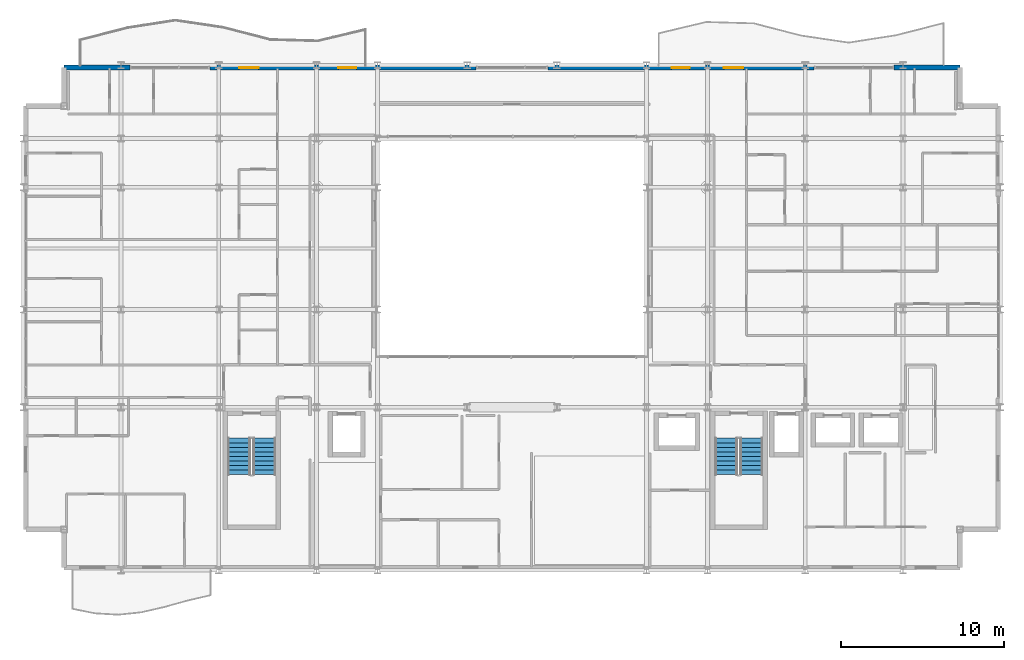
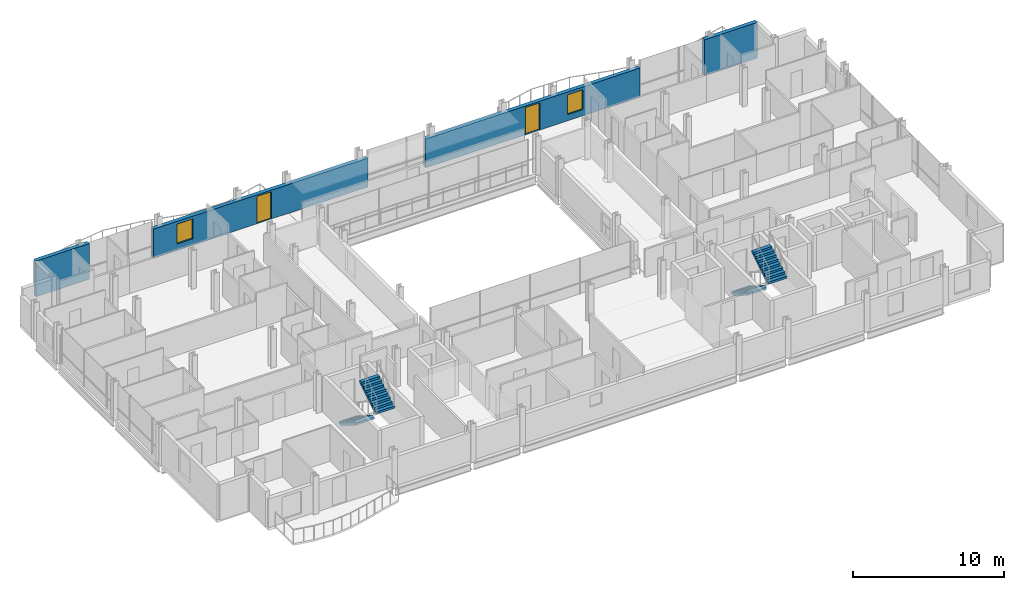
# One storey, part 38 of 41: 4 stair flights, 4 walls, 2 doors, 2 windows, 4 openings, 2 elements without a shape of their own.
"""IFC4 building model written with IfcOpenShell, lengths in metres."""

from ifc_helpers import new_model, si_unit, direction, frame, frame_2d, origin, place, context, subcontext, project, spatial, polyline, rectangle, outline, extrude, material, layer, layer_set, type_object, element, fill, aggregate, save


model = new_model("IFC4")

# Units and contexts
model_context = context("Model", 3, precision=1e-05, world=origin(), true_north=direction((0.0, 1.0)))
body_context = subcontext(model_context, "Body", "Model", "MODEL_VIEW")
ifc_project = project(units=[si_unit("LENGTHUNIT", "METRE"), si_unit("AREAUNIT", "SQUARE_METRE"), si_unit("VOLUMEUNIT", "CUBIC_METRE"), si_unit("PLANEANGLEUNIT", "RADIAN"), si_unit("MASSUNIT", "GRAM", prefix="KILO")], contexts=[model_context])

# Site, building, storey
site_placement = place(None, origin())
site = spatial("IfcSite", under=ifc_project, at=site_placement, CompositionType="ELEMENT")
building_placement = place(site_placement, origin())
building = spatial("IfcBuilding", under=site, at=building_placement, Name="Brevholm Reach", CompositionType="ELEMENT")
storey_placement = place(building_placement, frame((0.0, 0.0, 144.89990234375)))
storey = spatial("IfcBuildingStorey", under=building, at=storey_placement, Name="L43", CompositionType="ELEMENT", Elevation=144.89990234375)

# Walls
ifc_material_1 = material(Name="Concrete C40/50", Category="concrete")
ifc_layer_1 = layer(ifc_material_1, 0.300048828125)
ifc_layer_set_1 = layer_set([ifc_layer_1], Name="Concrete C40/50")
wall_type = type_object("IfcWallType", Name="WAL-EXT-300", PredefinedType="STANDARD", material=ifc_layer_set_1)
for number, where, z_axis, x_axis, name in (
    (1, (2.5, 30.85009765625, 0.0), (0.0, 0.0, 1.0), (1.0, 0.0, 0.0), "L43 Facade Wall WAL-L43-NP-W0"),
    (2, (53.449951171875, 30.85009765625, 0.0), (0.0, 0.0, 1.0), (1.0, 0.0, 0.0), "L43 Facade Wall WAL-L43-NP-E0"),
):
    element("IfcWall", number, at=place(storey_placement, frame(where, z_axis=z_axis, x_axis=x_axis)), inside=storey, type_object=wall_type, Name=name, PredefinedType="STANDARD", context=body_context, shape_type="SweptSolid", body=[
        extrude(rectangle(XDim=4.050048828125, YDim=0.300048828125, at=frame_2d((2.02490234375, 0.0))), origin(), (0.0, 0.0, 1.0), 2.880126953125),
    ])

# Wall, openings, door, window
wall_1_placement = place(storey_placement, frame((11.449951171875, 30.85009765625, 0.0), z_axis=(0.0, 0.0, 1.0), x_axis=(1.0, 0.0, 0.0)))
wall_1 = element("IfcWall", 3, at=wall_1_placement, inside=storey, type_object=wall_type, Name="L43 Facade Wall WAL-L43-NP-WL", PredefinedType="STANDARD", context=body_context, shape_type="SweptSolid", body=[
    extrude(rectangle(XDim=16.35009765625, YDim=0.300048828125, at=frame_2d((8.175048828125, 0.0))), origin(), (0.0, 0.0, 1.0), 2.322021484375),
])
opening_1_placement = place(wall_1_placement, frame((7.89794921875, 0.0, 0.0)))
opening_1 = element("IfcOpeningElement", 4, at=opening_1_placement, cuts=wall_1, Name="Opening BD-01", PredefinedType="OPENING", context=body_context, shape_type="SweptSolid", body=[
    extrude(rectangle(XDim=1.10009765625, YDim=2.199951171875, at=frame_2d((0.550048828125, 1.10009765625))), frame((0.0, 0.159912109375, 0.0), z_axis=(0.0, -1.0, 0.0), x_axis=(1.0, 0.0, 0.0)), (0.0, 0.0, 1.0), 0.320068359375),
])
opening_2_placement = place(wall_1_placement, frame((1.800048828125, 0.0, 0.501953125)))
opening_2 = element("IfcOpeningElement", 5, at=opening_2_placement, cuts=wall_1, Name="Opening WN-08", PredefinedType="OPENING", context=body_context, shape_type="SweptSolid", body=[
    extrude(rectangle(XDim=1.199951171875, YDim=1.60009765625, at=frame_2d((0.60009765625, 0.800048828125))), frame((0.0, 0.159912109375, 0.0), z_axis=(0.0, -1.0, 0.0), x_axis=(1.0, 0.0, 0.0)), (0.0, 0.0, 1.0), 0.320068359375),
])
ifc_material_2 = material(Name="Dark Anodised Aluminium and Triple-Glazed Glass", Category="aluminium")
door_type = type_object("IfcDoorType", Name="DOR-BALC-1100", OperationType="NOTDEFINED", PredefinedType="DOOR", material=ifc_material_2)
door_1_placement = place(opening_1_placement, origin())
door_1 = element("IfcDoor", 6, at=door_1_placement, inside=storey, type_object=door_type, Name="L43 Exterior Door DOR-L43-BL-NW", OperationType="SINGLE_SWING_LEFT", OverallHeight=2.199951171875, OverallWidth=1.10009765625, PredefinedType="DOOR", context=body_context, shape_type="SweptSolid", body=[
    extrude(rectangle(XDim=1.10009765625, YDim=2.199951171875, at=frame_2d((0.550048828125, 1.10009765625))), frame((0.0, 0.02490234375, 0.0), z_axis=(0.0, -1.0, 0.0), x_axis=(1.0, 0.0, 0.0)), (0.0, 0.0, 1.0), 0.050048828125),
])
fill(opening_1, door_1)
ifc_material_3 = material(Name="Dark Anodised Aluminium and Solar-Control IGU Glass", Category="aluminium")
window_type = type_object("IfcWindowType", Name="WIN-RES-1200", PartitioningType="SINGLE_PANEL", PredefinedType="WINDOW", material=ifc_material_3)
window_1_placement = place(opening_2_placement, origin())
window_1 = element("IfcWindow", 7, at=window_1_placement, inside=storey, type_object=window_type, Name="L43 Window WIN-L43-NP-WL1", OverallHeight=1.60009765625, OverallWidth=1.199951171875, PartitioningType="SINGLE_PANEL", PredefinedType="WINDOW", context=body_context, shape_type="SweptSolid", body=[
    extrude(rectangle(XDim=1.199951171875, YDim=1.60009765625, at=frame_2d((0.60009765625, 0.800048828125))), frame((0.0, 0.030029296875, 0.0), z_axis=(0.0, -1.0, 0.0), x_axis=(1.0, 0.0, 0.0)), (0.0, 0.0, 1.0), 0.06005859375),
])
fill(opening_2, window_1)

wall_2_placement = place(storey_placement, frame((32.199951171875, 30.85009765625, 0.0), z_axis=(0.0, 0.0, 1.0), x_axis=(1.0, 0.0, 0.0)))
wall_2 = element("IfcWall", 8, at=wall_2_placement, inside=storey, type_object=wall_type, Name="L43 Facade Wall WAL-L43-NP-ER", PredefinedType="STANDARD", context=body_context, shape_type="SweptSolid", body=[
    extrude(rectangle(XDim=16.35009765625, YDim=0.300048828125, at=frame_2d((8.175048828125, 0.0))), origin(), (0.0, 0.0, 1.0), 2.322021484375),
])
opening_3_placement = place(wall_2_placement, frame((7.60009765625, 0.0, 0.0)))
opening_3 = element("IfcOpeningElement", 9, at=opening_3_placement, cuts=wall_2, Name="Opening BD-01", PredefinedType="OPENING", context=body_context, shape_type="SweptSolid", body=[
    extrude(rectangle(XDim=1.10009765625, YDim=2.199951171875, at=frame_2d((0.550048828125, 1.10009765625))), frame((0.0, 0.159912109375, 0.0), z_axis=(0.0, -1.0, 0.0), x_axis=(1.0, 0.0, 0.0)), (0.0, 0.0, 1.0), 0.320068359375),
])
opening_4_placement = place(wall_2_placement, frame((10.800048828125, 0.0, 0.501953125)))
opening_4 = element("IfcOpeningElement", 10, at=opening_4_placement, cuts=wall_2, Name="Opening WN-08", PredefinedType="OPENING", context=body_context, shape_type="SweptSolid", body=[
    extrude(rectangle(XDim=1.199951171875, YDim=1.60009765625, at=frame_2d((0.60009765625, 0.800048828125))), frame((0.0, 0.159912109375, 0.0), z_axis=(0.0, -1.0, 0.0), x_axis=(1.0, 0.0, 0.0)), (0.0, 0.0, 1.0), 0.320068359375),
])
door_2_placement = place(opening_3_placement, origin())
door_2 = element("IfcDoor", 11, at=door_2_placement, inside=storey, type_object=door_type, Name="L43 Exterior Door DOR-L43-BL-NE", OperationType="SINGLE_SWING_RIGHT", OverallHeight=2.199951171875, OverallWidth=1.10009765625, PredefinedType="DOOR", context=body_context, shape_type="SweptSolid", body=[
    extrude(rectangle(XDim=1.10009765625, YDim=2.199951171875, at=frame_2d((0.550048828125, 1.10009765625))), frame((0.0, 0.02490234375, 0.0), z_axis=(0.0, -1.0, 0.0), x_axis=(1.0, 0.0, 0.0)), (0.0, 0.0, 1.0), 0.050048828125),
])
fill(opening_3, door_2)
window_2_placement = place(opening_4_placement, origin())
window_2 = element("IfcWindow", 12, at=window_2_placement, inside=storey, type_object=window_type, Name="L43 Window WIN-L43-NP-ER1", OverallHeight=1.60009765625, OverallWidth=1.199951171875, PartitioningType="SINGLE_PANEL", PredefinedType="WINDOW", context=body_context, shape_type="SweptSolid", body=[
    extrude(rectangle(XDim=1.199951171875, YDim=1.60009765625, at=frame_2d((0.60009765625, 0.800048828125))), frame((0.0, 0.030029296875, 0.0), z_axis=(0.0, -1.0, 0.0), x_axis=(1.0, 0.0, 0.0)), (0.0, 0.0, 1.0), 0.06005859375),
])
fill(opening_4, window_2)

# Stair, stair flights
ifc_material_4 = material(Name="Precast Concrete C40/50", Category="concrete")
stair_type = type_object("IfcStairType", Name="STR-ESC-1400", PredefinedType="DOUBLE_RETURN_STAIR", material=ifc_material_4)
stair_1_placement = place(storey_placement, origin())
stair_1 = element("IfcStair", 13, at=stair_1_placement, inside=storey, type_object=stair_type, Name="L43 ST-1", PredefinedType="DOUBLE_RETURN_STAIR")
ifc_material_5 = material(Name="Precast Concrete C40/50", Category="concrete")
ifc_layer_2 = layer(ifc_material_5, 0.18505859375)
ifc_layer_set_2 = layer_set([ifc_layer_2], Name="Precast Concrete C40/50")
stair_flight_type = type_object("IfcStairFlightType", Name="STF-PRC-185", PredefinedType="STRAIGHT", material=ifc_layer_set_2)
stair_flight_1_placement = place(storey_placement, frame((13.25, 8.10009765625, 0.0), z_axis=(0.0, 0.0, 1.0), x_axis=(0.0, -1.0, 0.0)))
stair_flight_1 = element("IfcStairFlight", 14, at=stair_flight_1_placement, type_object=stair_flight_type, Name="ST-1 flight 1", NumberOfRisers=9, NumberOfTreads=8, PredefinedType="STRAIGHT", RiserHeight=0.172222222, TreadLength=0.28, context=body_context, shape_type="SweptSolid", body=[
    extrude(outline(polyline([(0.0, 0.0), (0.0, 0.172119140625), (0.280029296875, 0.172119140625), (0.280029296875, 0.344482421875), (0.56005859375, 0.344482421875), (0.56005859375, 0.5166015625), (0.840087890625, 0.5166015625), (0.840087890625, 0.68896484375), (1.1201171875, 0.68896484375), (1.1201171875, 0.861083984375), (1.39990234375, 0.861083984375), (1.39990234375, 1.033447265625), (1.679931640625, 1.033447265625), (1.679931640625, 1.20556640625), (1.9599609375, 1.20556640625), (1.9599609375, 1.377685546875), (2.239990234375, 1.377685546875), (2.239990234375, 1.550048828125), (2.239990234375, 1.201904296875), (0.2861328125, 0.0), (0.0, 0.0)])), frame((0.0, 0.699951171875, 0.0), z_axis=(0.0, -1.0, 0.0), x_axis=(1.0, 0.0, 0.0)), (0.0, 0.0, 1.0), 1.39990234375),
])
stair_flight_2_placement = place(storey_placement, frame((14.800048828125, 5.860107421875, 1.550048828125), z_axis=(0.0, 0.0, 1.0), x_axis=(0.0, 1.0, 0.0)))
stair_flight_2 = element("IfcStairFlight", 15, at=stair_flight_2_placement, type_object=stair_flight_type, Name="ST-1 flight 2", NumberOfRisers=9, NumberOfTreads=8, PredefinedType="STRAIGHT", RiserHeight=0.172222222, TreadLength=0.28, context=body_context, shape_type="SweptSolid", body=[
    extrude(outline(polyline([(0.0, 0.0), (0.0, 0.172119140625), (0.280029296875, 0.172119140625), (0.280029296875, 0.344482421875), (0.56005859375, 0.344482421875), (0.56005859375, 0.5166015625), (0.840087890625, 0.5166015625), (0.840087890625, 0.68896484375), (1.1201171875, 0.68896484375), (1.1201171875, 0.861083984375), (1.39990234375, 0.861083984375), (1.39990234375, 1.033447265625), (1.679931640625, 1.033447265625), (1.679931640625, 1.20556640625), (1.9599609375, 1.20556640625), (1.9599609375, 1.377685546875), (2.239990234375, 1.377685546875), (2.239990234375, 1.550048828125), (2.239990234375, 1.201904296875), (0.2861328125, 0.0), (0.0, 0.0)])), frame((0.0, 0.699951171875, 0.0), z_axis=(0.0, -1.0, 0.0), x_axis=(1.0, 0.0, 0.0)), (0.0, 0.0, 1.0), 1.39990234375),
])
aggregate(stair_1, [stair_flight_1, stair_flight_2])

stair_2_placement = place(storey_placement, origin())
stair_2 = element("IfcStair", 16, at=stair_2_placement, inside=storey, type_object=stair_type, Name="L43 ST-2", PredefinedType="DOUBLE_RETURN_STAIR")
stair_flight_3_placement = place(storey_placement, frame((43.14990234375, 8.10009765625, 0.0), z_axis=(0.0, 0.0, 1.0), x_axis=(0.0, -1.0, 0.0)))
stair_flight_3 = element("IfcStairFlight", 17, at=stair_flight_3_placement, type_object=stair_flight_type, Name="ST-2 flight 1", NumberOfRisers=9, NumberOfTreads=8, PredefinedType="STRAIGHT", RiserHeight=0.172222222, TreadLength=0.28, context=body_context, shape_type="SweptSolid", body=[
    extrude(outline(polyline([(0.0, 0.0), (0.0, 0.172119140625), (0.280029296875, 0.172119140625), (0.280029296875, 0.344482421875), (0.56005859375, 0.344482421875), (0.56005859375, 0.5166015625), (0.840087890625, 0.5166015625), (0.840087890625, 0.68896484375), (1.1201171875, 0.68896484375), (1.1201171875, 0.861083984375), (1.39990234375, 0.861083984375), (1.39990234375, 1.033447265625), (1.679931640625, 1.033447265625), (1.679931640625, 1.20556640625), (1.9599609375, 1.20556640625), (1.9599609375, 1.377685546875), (2.239990234375, 1.377685546875), (2.239990234375, 1.550048828125), (2.239990234375, 1.201904296875), (0.2861328125, 0.0), (0.0, 0.0)])), frame((0.0, 0.699951171875, 0.0), z_axis=(0.0, -1.0, 0.0), x_axis=(1.0, 0.0, 0.0)), (0.0, 0.0, 1.0), 1.39990234375),
])
stair_flight_4_placement = place(storey_placement, frame((44.699951171875, 5.860107421875, 1.550048828125), z_axis=(0.0, 0.0, 1.0), x_axis=(0.0, 1.0, 0.0)))
stair_flight_4 = element("IfcStairFlight", 18, at=stair_flight_4_placement, type_object=stair_flight_type, Name="ST-2 flight 2", NumberOfRisers=9, NumberOfTreads=8, PredefinedType="STRAIGHT", RiserHeight=0.172222222, TreadLength=0.28, context=body_context, shape_type="SweptSolid", body=[
    extrude(outline(polyline([(0.0, 0.0), (0.0, 0.172119140625), (0.280029296875, 0.172119140625), (0.280029296875, 0.344482421875), (0.56005859375, 0.344482421875), (0.56005859375, 0.5166015625), (0.840087890625, 0.5166015625), (0.840087890625, 0.68896484375), (1.1201171875, 0.68896484375), (1.1201171875, 0.861083984375), (1.39990234375, 0.861083984375), (1.39990234375, 1.033447265625), (1.679931640625, 1.033447265625), (1.679931640625, 1.20556640625), (1.9599609375, 1.20556640625), (1.9599609375, 1.377685546875), (2.239990234375, 1.377685546875), (2.239990234375, 1.550048828125), (2.239990234375, 1.201904296875), (0.2861328125, 0.0), (0.0, 0.0)])), frame((0.0, 0.699951171875, 0.0), z_axis=(0.0, -1.0, 0.0), x_axis=(1.0, 0.0, 0.0)), (0.0, 0.0, 1.0), 1.39990234375),
])
aggregate(stair_2, [stair_flight_3, stair_flight_4])

save(model, "model.ifc")
